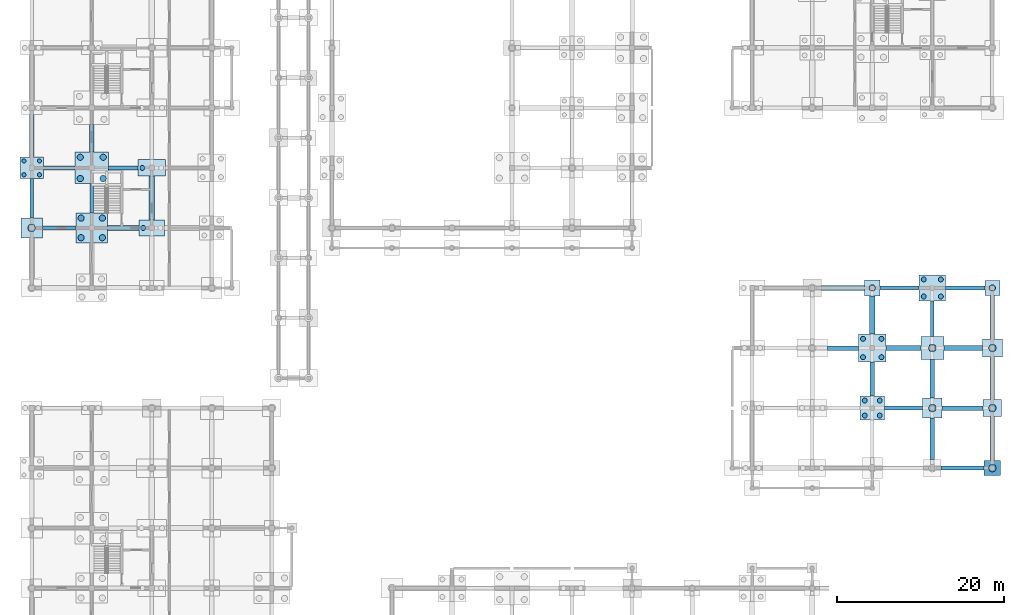
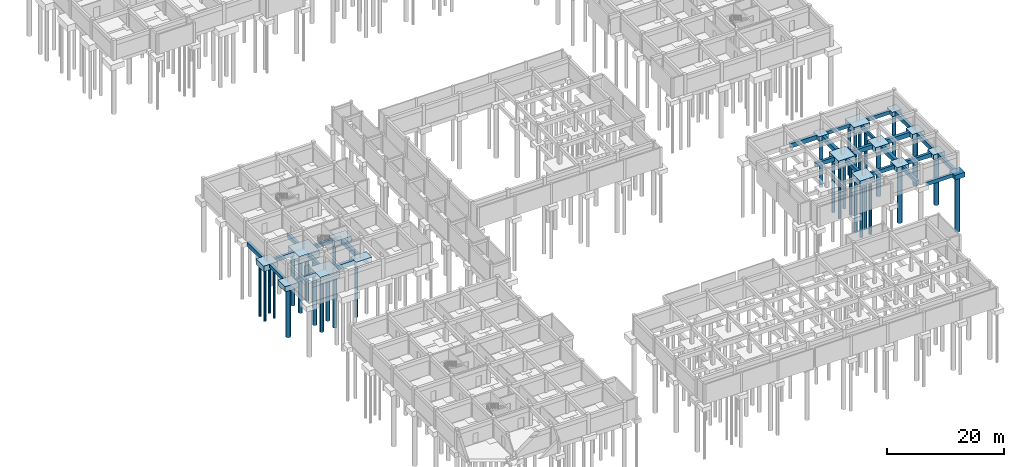
# One storey, part 7 of 38: 42 footings, 34 piles.
"""IFC4 building model written with IfcOpenShell, lengths in metres."""

from ifc_helpers import new_model, si_unit, direction, frame, origin, origin_2d, place, context, subcontext, project, spatial, polyline, rectangle, circle, outline, extrude, material, material_profile, profile_set, type_object, element, save


model = new_model("IFC4")

# Units and contexts
model_context = context("Model", 3, precision=1e-05, world=origin(), true_north=direction((0.0, 1.0)))
body_context = subcontext(model_context, "Body", "Model", "MODEL_VIEW")
ifc_project = project(units=[si_unit("LENGTHUNIT", "METRE"), si_unit("AREAUNIT", "SQUARE_METRE"), si_unit("VOLUMEUNIT", "CUBIC_METRE"), si_unit("PLANEANGLEUNIT", "RADIAN"), si_unit("MASSUNIT", "GRAM", prefix="KILO"), si_unit("THERMODYNAMICTEMPERATUREUNIT", "KELVIN"), si_unit("POWERUNIT", "WATT")], contexts=[model_context])

# Site, building, storey
site_placement = place(None, origin())
site = spatial("IfcSite", under=ifc_project, at=site_placement, CompositionType="ELEMENT")
building_placement = place(site_placement, origin())
building = spatial("IfcBuilding", under=site, at=building_placement, Name="Tavuni Mirador Residences", CompositionType="ELEMENT")
storey_placement = place(building_placement, frame((0.0, 0.0, -4.199951171875)))
storey = spatial("IfcBuildingStorey", under=building, at=storey_placement, Name="B1", CompositionType="ELEMENT", Elevation=-4.199951171875)

# Footings
ifc_material = material(Name="In-situ concrete C35/45", Category="concrete")
footing_type_1 = type_object("IfcFootingType", Name="FT-GB01", PredefinedType="FOOTING_BEAM", material=ifc_material)
footing_1_placement = place(storey_placement, frame((0.0, 0.0, -0.719970703125)))
element("IfcFooting", 1, at=footing_1_placement, inside=storey, type_object=footing_type_1, Name="GBX-BLK-B-00-01", PredefinedType="FOOTING_BEAM", context=body_context, shape_type="SweptSolid", body=[
    extrude(outline(polyline([(4.89990234375, 71.7900390625), (8.89990234375, 71.7900390625), (8.89990234375, 72.2099609375), (4.89990234375, 72.2099609375), (4.89990234375, 71.7900390625)])), origin(), (0.0, 0.0, 1.0), 0.719970703125),
])
footing_2_placement = place(storey_placement, frame((0.0, 0.0, -0.719970703125)))
element("IfcFooting", 2, at=footing_2_placement, inside=storey, type_object=footing_type_1, Name="GBY-BLK-B-01-01", PredefinedType="FOOTING_BEAM", context=body_context, shape_type="SweptSolid", body=[
    extrude(outline(polyline([(10.590087890625, 73.800048828125), (11.010009765625, 73.800048828125), (11.010009765625, 77.300048828125), (10.590087890625, 77.300048828125), (10.590087890625, 73.800048828125)])), origin(), (0.0, 0.0, 1.0), 0.719970703125),
])
footing_3_placement = place(storey_placement, frame((0.0, 0.0, -0.719970703125)))
element("IfcFooting", 3, at=footing_3_placement, inside=storey, type_object=footing_type_1, Name="GBX-PAV-NURS-02-03", PredefinedType="FOOTING_BEAM", context=body_context, shape_type="SweptSolid", body=[
    extrude(outline(polyline([(105.35009765625, 64.590087890625), (110.02490234375, 64.590087890625), (110.02490234375, 65.010009765625), (105.35009765625, 65.010009765625), (105.35009765625, 64.590087890625)])), origin(), (0.0, 0.0, 1.0), 0.719970703125),
])
footing_4_placement = place(storey_placement, frame((0.0, 0.0, -0.719970703125)))
element("IfcFooting", 4, at=footing_4_placement, inside=storey, type_object=footing_type_1, Name="GBY-PAV-NURS-03-02", PredefinedType="FOOTING_BEAM", context=body_context, shape_type="SweptSolid", body=[
    extrude(outline(polyline([(111.389892578125, 58.97509765625), (111.81005859375, 58.97509765625), (111.81005859375, 63.22509765625), (111.389892578125, 63.22509765625), (111.389892578125, 58.97509765625)])), origin(), (0.0, 0.0, 1.0), 0.719970703125),
])
footing_type_2 = type_object("IfcFootingType", Name="FT-GB02", PredefinedType="FOOTING_BEAM", material=ifc_material)
footing_5_placement = place(storey_placement, frame((0.0, 0.0, -0.760009765625)))
element("IfcFooting", 5, at=footing_5_placement, inside=storey, type_object=footing_type_2, Name="GBY-BLK-B-00-01", PredefinedType="FOOTING_BEAM", context=body_context, shape_type="SweptSolid", body=[
    extrude(outline(polyline([(3.3701171875, 73.199951171875), (3.830078125, 73.199951171875), (3.830078125, 77.89990234375), (3.3701171875, 77.89990234375), (3.3701171875, 73.199951171875)])), origin(), (0.0, 0.0, 1.0), 0.760009765625),
])
footing_6_placement = place(storey_placement, frame((0.0, 0.0, -0.760009765625)))
element("IfcFooting", 6, at=footing_6_placement, inside=storey, type_object=footing_type_2, Name="GBX-BLK-B-01-02", PredefinedType="FOOTING_BEAM", context=body_context, shape_type="SweptSolid", body=[
    extrude(outline(polyline([(12.800048828125, 78.969970703125), (16.35009765625, 78.969970703125), (16.35009765625, 79.429931640625), (12.800048828125, 79.429931640625), (12.800048828125, 78.969970703125)])), origin(), (0.0, 0.0, 1.0), 0.760009765625),
])
footing_7_placement = place(storey_placement, frame((0.0, 0.0, -0.760009765625)))
element("IfcFooting", 7, at=footing_7_placement, inside=storey, type_object=footing_type_2, Name="GBX-PAV-NURS-03-00", PredefinedType="FOOTING_BEAM", context=body_context, shape_type="SweptSolid", body=[
    extrude(outline(polyline([(112.64990234375, 42.969970703125), (117.800048828125, 42.969970703125), (117.800048828125, 43.429931640625), (112.64990234375, 43.429931640625), (112.64990234375, 42.969970703125)])), origin(), (0.0, 0.0, 1.0), 0.760009765625),
])
footing_8_placement = place(storey_placement, frame((0.0, 0.0, -0.760009765625)))
element("IfcFooting", 8, at=footing_8_placement, inside=storey, type_object=footing_type_2, Name="GBX-PAV-NURS-03-03", PredefinedType="FOOTING_BEAM", context=body_context, shape_type="SweptSolid", body=[
    extrude(outline(polyline([(113.175048828125, 64.570068359375), (117.89990234375, 64.570068359375), (117.89990234375, 65.030029296875), (113.175048828125, 65.030029296875), (113.175048828125, 64.570068359375)])), origin(), (0.0, 0.0, 1.0), 0.760009765625),
])
footing_type_3 = type_object("IfcFootingType", Name="FT-GB03", PredefinedType="FOOTING_BEAM", material=ifc_material)
footing_9_placement = place(storey_placement, frame((0.0, 0.0, -0.800048828125)))
element("IfcFooting", 9, at=footing_9_placement, inside=storey, type_object=footing_type_3, Name="GBX-BLK-B-00-02", PredefinedType="FOOTING_BEAM", context=body_context, shape_type="SweptSolid", body=[
    extrude(outline(polyline([(5.0, 78.949951171875), (8.800048828125, 78.949951171875), (8.800048828125, 79.449951171875), (5.0, 79.449951171875), (5.0, 78.949951171875)])), origin(), (0.0, 0.0, 1.0), 0.800048828125),
])
footing_10_placement = place(storey_placement, frame((0.0, 0.0, -0.800048828125)))
element("IfcFooting", 10, at=footing_10_placement, inside=storey, type_object=footing_type_3, Name="GBY-BLK-B-01-02", PredefinedType="FOOTING_BEAM", context=body_context, shape_type="SweptSolid", body=[
    extrude(outline(polyline([(10.550048828125, 81.10009765625), (11.050048828125, 81.10009765625), (11.050048828125, 84.39990234375), (10.550048828125, 84.39990234375), (10.550048828125, 81.10009765625)])), origin(), (0.0, 0.0, 1.0), 0.800048828125),
])
footing_11_placement = place(storey_placement, frame((0.0, 0.0, -0.800048828125)))
element("IfcFooting", 11, at=footing_11_placement, inside=storey, type_object=footing_type_3, Name="GBX-PAV-NURS-02-01", PredefinedType="FOOTING_BEAM", context=body_context, shape_type="SweptSolid", body=[
    extrude(outline(polyline([(105.85009765625, 50.14990234375), (110.425048828125, 50.14990234375), (110.425048828125, 50.64990234375), (105.85009765625, 50.64990234375), (105.85009765625, 50.14990234375)])), origin(), (0.0, 0.0, 1.0), 0.800048828125),
])
footing_12_placement = place(storey_placement, frame((0.0, 0.0, -0.800048828125)))
element("IfcFooting", 12, at=footing_12_placement, inside=storey, type_object=footing_type_3, Name="GBY-PAV-NURS-03-00", PredefinedType="FOOTING_BEAM", context=body_context, shape_type="SweptSolid", body=[
    extrude(outline(polyline([(111.35009765625, 44.25), (111.85009765625, 44.25), (111.85009765625, 49.22509765625), (111.35009765625, 49.22509765625), (111.35009765625, 44.25)])), origin(), (0.0, 0.0, 1.0), 0.800048828125),
])
footing_13_placement = place(storey_placement, frame((0.0, 0.0, -0.800048828125)))
element("IfcFooting", 13, at=footing_13_placement, inside=storey, type_object=footing_type_3, Name="GBY-PAV-NURS-04-00", PredefinedType="FOOTING_BEAM", context=body_context, shape_type="SweptSolid", body=[
    extrude(outline(polyline([(118.550048828125, 44.10009765625), (119.050048828125, 44.10009765625), (119.050048828125, 49.39990234375), (118.550048828125, 49.39990234375), (118.550048828125, 44.10009765625)])), origin(), (0.0, 0.0, 1.0), 0.800048828125),
])
footing_type_4 = type_object("IfcFootingType", Name="FT-GB04", PredefinedType="FOOTING_BEAM", material=ifc_material)
footing_14_placement = place(storey_placement, frame((0.0, 0.0, -0.840087890625)))
element("IfcFooting", 14, at=footing_14_placement, inside=storey, type_object=footing_type_4, Name="GBY-BLK-B-00-02", PredefinedType="FOOTING_BEAM", context=body_context, shape_type="SweptSolid", body=[
    extrude(outline(polyline([(3.330078125, 80.5), (3.8701171875, 80.5), (3.8701171875, 85.60009765625), (3.330078125, 85.60009765625), (3.330078125, 80.5)])), origin(), (0.0, 0.0, 1.0), 0.840087890625),
])
footing_15_placement = place(storey_placement, frame((0.0, 0.0, -0.840087890625)))
element("IfcFooting", 15, at=footing_15_placement, inside=storey, type_object=footing_type_4, Name="GBX-PAV-NURS-01-02", PredefinedType="FOOTING_BEAM", context=body_context, shape_type="SweptSolid", body=[
    extrude(outline(polyline([(99.050048828125, 57.330078125), (102.75, 57.330078125), (102.75, 57.8701171875), (99.050048828125, 57.8701171875), (99.050048828125, 57.330078125)])), origin(), (0.0, 0.0, 1.0), 0.840087890625),
])
footing_16_placement = place(storey_placement, frame((0.0, 0.0, -0.840087890625)))
element("IfcFooting", 16, at=footing_16_placement, inside=storey, type_object=footing_type_4, Name="GBY-PAV-NURS-02-01", PredefinedType="FOOTING_BEAM", context=body_context, shape_type="SweptSolid", body=[
    extrude(outline(polyline([(104.1298828125, 51.85009765625), (104.669921875, 51.85009765625), (104.669921875, 55.949951171875), (104.1298828125, 55.949951171875), (104.1298828125, 51.85009765625)])), origin(), (0.0, 0.0, 1.0), 0.840087890625),
])
footing_17_placement = place(storey_placement, frame((0.0, 0.0, -0.840087890625)))
element("IfcFooting", 17, at=footing_17_placement, inside=storey, type_object=footing_type_4, Name="GBX-PAV-NURS-03-01", PredefinedType="FOOTING_BEAM", context=body_context, shape_type="SweptSolid", body=[
    extrude(outline(polyline([(112.77490234375, 50.1298828125), (117.699951171875, 50.1298828125), (117.699951171875, 50.669921875), (112.77490234375, 50.669921875), (112.77490234375, 50.1298828125)])), origin(), (0.0, 0.0, 1.0), 0.840087890625),
])
footing_18_placement = place(storey_placement, frame((0.0, 0.0, -0.840087890625)))
element("IfcFooting", 18, at=footing_18_placement, inside=storey, type_object=footing_type_4, Name="GBY-PAV-NURS-04-01", PredefinedType="FOOTING_BEAM", context=body_context, shape_type="SweptSolid", body=[
    extrude(outline(polyline([(118.530029296875, 51.39990234375), (119.070068359375, 51.39990234375), (119.070068359375, 56.5), (118.530029296875, 56.5), (118.530029296875, 51.39990234375)])), origin(), (0.0, 0.0, 1.0), 0.840087890625),
])
footing_type_5 = type_object("IfcFootingType", Name="FT-GB05", PredefinedType="FOOTING_BEAM", material=ifc_material)
footing_19_placement = place(storey_placement, frame((0.0, 0.0, -0.880126953125)))
element("IfcFooting", 19, at=footing_19_placement, inside=storey, type_object=footing_type_5, Name="GBX-PAV-NURS-02-02", PredefinedType="FOOTING_BEAM", context=body_context, shape_type="SweptSolid", body=[
    extrude(outline(polyline([(106.050048828125, 57.31005859375), (110.22509765625, 57.31005859375), (110.22509765625, 57.889892578125), (106.050048828125, 57.889892578125), (106.050048828125, 57.31005859375)])), origin(), (0.0, 0.0, 1.0), 0.880126953125),
])
footing_20_placement = place(storey_placement, frame((0.0, 0.0, -0.880126953125)))
element("IfcFooting", 20, at=footing_20_placement, inside=storey, type_object=footing_type_5, Name="GBY-PAV-NURS-03-01", PredefinedType="FOOTING_BEAM", context=body_context, shape_type="SweptSolid", body=[
    extrude(outline(polyline([(111.31005859375, 51.574951171875), (111.889892578125, 51.574951171875), (111.889892578125, 56.22509765625), (111.31005859375, 56.22509765625), (111.31005859375, 51.574951171875)])), origin(), (0.0, 0.0, 1.0), 0.880126953125),
])
footing_21_placement = place(storey_placement, frame((0.0, 0.0, -0.880126953125)))
element("IfcFooting", 21, at=footing_21_placement, inside=storey, type_object=footing_type_5, Name="GBY-PAV-NURS-04-02", PredefinedType="FOOTING_BEAM", context=body_context, shape_type="SweptSolid", body=[
    extrude(outline(polyline([(118.510009765625, 58.699951171875), (119.090087890625, 58.699951171875), (119.090087890625, 63.89990234375), (118.510009765625, 63.89990234375), (118.510009765625, 58.699951171875)])), origin(), (0.0, 0.0, 1.0), 0.880126953125),
])
footing_type_6 = type_object("IfcFootingType", Name="FT-GB06", PredefinedType="FOOTING_BEAM", material=ifc_material)
footing_22_placement = place(storey_placement, frame((0.0, 0.0, -0.920166015625)))
element("IfcFooting", 22, at=footing_22_placement, inside=storey, type_object=footing_type_6, Name="GBX-BLK-B-01-01", PredefinedType="FOOTING_BEAM", context=body_context, shape_type="SweptSolid", body=[
    extrude(outline(polyline([(12.699951171875, 71.68994140625), (16.449951171875, 71.68994140625), (16.449951171875, 72.31005859375), (12.699951171875, 72.31005859375), (12.699951171875, 71.68994140625)])), origin(), (0.0, 0.0, 1.0), 0.920166015625),
])
footing_23_placement = place(storey_placement, frame((0.0, 0.0, -0.920166015625)))
element("IfcFooting", 23, at=footing_23_placement, inside=storey, type_object=footing_type_6, Name="GBY-BLK-B-02-01", PredefinedType="FOOTING_BEAM", context=body_context, shape_type="SweptSolid", body=[
    extrude(outline(polyline([(17.68994140625, 72.949951171875), (18.31005859375, 72.949951171875), (18.31005859375, 78.199951171875), (17.68994140625, 78.199951171875), (17.68994140625, 72.949951171875)])), origin(), (0.0, 0.0, 1.0), 0.920166015625),
])
footing_24_placement = place(storey_placement, frame((0.0, 0.0, -0.920166015625)))
element("IfcFooting", 24, at=footing_24_placement, inside=storey, type_object=footing_type_6, Name="GBX-PAV-NURS-01-03", PredefinedType="FOOTING_BEAM", context=body_context, shape_type="SweptSolid", body=[
    extrude(outline(polyline([(98.300048828125, 64.489990234375), (103.449951171875, 64.489990234375), (103.449951171875, 65.110107421875), (98.300048828125, 65.110107421875), (98.300048828125, 64.489990234375)])), origin(), (0.0, 0.0, 1.0), 0.920166015625),
])
footing_25_placement = place(storey_placement, frame((0.0, 0.0, -0.920166015625)))
element("IfcFooting", 25, at=footing_25_placement, inside=storey, type_object=footing_type_6, Name="GBY-PAV-NURS-02-02", PredefinedType="FOOTING_BEAM", context=body_context, shape_type="SweptSolid", body=[
    extrude(outline(polyline([(104.090087890625, 59.25), (104.7099609375, 59.25), (104.7099609375, 63.85009765625), (104.090087890625, 63.85009765625), (104.090087890625, 59.25)])), origin(), (0.0, 0.0, 1.0), 0.920166015625),
])
footing_26_placement = place(storey_placement, frame((0.0, 0.0, -0.920166015625)))
element("IfcFooting", 26, at=footing_26_placement, inside=storey, type_object=footing_type_6, Name="GBX-PAV-NURS-03-02", PredefinedType="FOOTING_BEAM", context=body_context, shape_type="SweptSolid", body=[
    extrude(outline(polyline([(112.97509765625, 57.2900390625), (117.60009765625, 57.2900390625), (117.60009765625, 57.909912109375), (112.97509765625, 57.909912109375), (112.97509765625, 57.2900390625)])), origin(), (0.0, 0.0, 1.0), 0.920166015625),
])
footing_type_7 = type_object("IfcFootingType", Name="FT-PC01", PredefinedType="PILE_CAP", material=ifc_material)
footing_27_placement = place(storey_placement, frame((118.800048828125, 64.800048828125, -0.89990234375), z_axis=(0.0, 0.0, 1.0), x_axis=(1.0, 0.0, 0.0)))
element("IfcFooting", 27, at=footing_27_placement, inside=storey, type_object=footing_type_7, Name="CAP-PAV-NURS-04-03", PredefinedType="PILE_CAP", context=body_context, shape_type="SweptSolid", body=[
    extrude(rectangle(XDim=1.800048828125, YDim=1.800048828125, at=origin_2d()), origin(), (0.0, 0.0, 1.0), 0.89990234375),
])
footing_type_8 = type_object("IfcFootingType", Name="FT-PC02", PredefinedType="PILE_CAP", material=ifc_material)
footing_28_placement = place(storey_placement, frame((118.800048828125, 43.199951171875, -0.9501953125), z_axis=(0.0, 0.0, 1.0), x_axis=(1.0, 0.0, 0.0)))
element("IfcFooting", 28, at=footing_28_placement, inside=storey, type_object=footing_type_8, Name="CAP-PAV-NURS-04-00", PredefinedType="PILE_CAP", context=body_context, shape_type="SweptSolid", body=[
    extrude(rectangle(XDim=2.0, YDim=1.800048828125, at=origin_2d()), origin(), (0.0, 0.0, 1.0), 0.949951171875),
])
footing_type_9 = type_object("IfcFootingType", Name="FT-PC03", PredefinedType="PILE_CAP", material=ifc_material)
footing_29_placement = place(storey_placement, frame((118.800048828125, 50.39990234375, -1.0), z_axis=(0.0, 0.0, 1.0), x_axis=(1.0, 0.0, 0.0)))
element("IfcFooting", 29, at=footing_29_placement, inside=storey, type_object=footing_type_9, Name="CAP-PAV-NURS-04-01", PredefinedType="PILE_CAP", context=body_context, shape_type="SweptSolid", body=[
    extrude(rectangle(XDim=2.199951171875, YDim=2.0, at=origin_2d()), origin(), (0.0, 0.0, 1.0), 1.0),
])
footing_type_10 = type_object("IfcFootingType", Name="FT-PC04", PredefinedType="PILE_CAP", material=ifc_material)
footing_30_placement = place(storey_placement, frame((118.800048828125, 57.60009765625, -1.05029296875), z_axis=(0.0, 0.0, 1.0), x_axis=(1.0, 0.0, 0.0)))
element("IfcFooting", 30, at=footing_30_placement, inside=storey, type_object=footing_type_10, Name="CAP-PAV-NURS-04-02", PredefinedType="PILE_CAP", context=body_context, shape_type="SweptSolid", body=[
    extrude(rectangle(XDim=2.39990234375, YDim=2.199951171875, at=origin_2d()), origin(), (0.0, 0.0, 1.0), 1.050048828125),
])
footing_type_11 = type_object("IfcFootingType", Name="FT-PC05", PredefinedType="PILE_CAP", material=ifc_material)
footing_31_placement = place(storey_placement, frame((3.60009765625, 72.0, -1.10009765625), z_axis=(0.0, 0.0, 1.0), x_axis=(1.0, 0.0, 0.0)))
element("IfcFooting", 31, at=footing_31_placement, inside=storey, type_object=footing_type_11, Name="CAP-BLK-B-00-01", PredefinedType="PILE_CAP", context=body_context, shape_type="SweptSolid", body=[
    extrude(rectangle(XDim=2.60009765625, YDim=2.39990234375, at=origin_2d()), origin(), (0.0, 0.0, 1.0), 1.10009765625),
])
footing_type_12 = type_object("IfcFootingType", Name="FT-PC06", PredefinedType="PILE_CAP", material=ifc_material)
footing_32_placement = place(storey_placement, frame((3.60009765625, 79.199951171875, -1.14990234375), z_axis=(0.0, 0.0, 1.0), x_axis=(1.0, 0.0, 0.0)))
element("IfcFooting", 32, at=footing_32_placement, inside=storey, type_object=footing_type_12, Name="CAP-BLK-B-00-02", PredefinedType="PILE_CAP", context=body_context, shape_type="SweptSolid", body=[
    extrude(rectangle(XDim=2.800048828125, YDim=2.60009765625, at=origin_2d()), origin(), (0.0, 0.0, 1.0), 1.14990234375),
])
footing_type_13 = type_object("IfcFootingType", Name="FT-PC11", PredefinedType="PILE_CAP", material=ifc_material)
footing_33_placement = place(storey_placement, frame((10.800048828125, 72.0, -1.39990234375), z_axis=(0.0, 0.0, 1.0), x_axis=(1.0, 0.0, 0.0)))
element("IfcFooting", 33, at=footing_33_placement, inside=storey, type_object=footing_type_13, Name="CAP-BLK-B-01-01", PredefinedType="PILE_CAP", context=body_context, shape_type="SweptSolid", body=[
    extrude(rectangle(XDim=3.800048828125, YDim=3.60009765625, at=origin_2d()), origin(), (0.0, 0.0, 1.0), 1.39990234375),
])
footing_type_14 = type_object("IfcFootingType", Name="FT-PC12", PredefinedType="PILE_CAP", material=ifc_material)
footing_34_placement = place(storey_placement, frame((10.800048828125, 79.199951171875, -1.4501953125), z_axis=(0.0, 0.0, 1.0), x_axis=(1.0, 0.0, 0.0)))
element("IfcFooting", 34, at=footing_34_placement, inside=storey, type_object=footing_type_14, Name="CAP-BLK-B-01-02", PredefinedType="PILE_CAP", context=body_context, shape_type="SweptSolid", body=[
    extrude(rectangle(XDim=4.0, YDim=3.800048828125, at=origin_2d()), origin(), (0.0, 0.0, 1.0), 1.449951171875),
])
footing_type_15 = type_object("IfcFootingType", Name="FT-PC17", PredefinedType="PILE_CAP", material=ifc_material)
footing_35_placement = place(storey_placement, frame((18.0, 72.0, -1.10009765625), z_axis=(0.0, 0.0, 1.0), x_axis=(1.0, 0.0, 0.0)))
element("IfcFooting", 35, at=footing_35_placement, inside=storey, type_object=footing_type_15, Name="CAP-BLK-B-02-01", PredefinedType="PILE_CAP", context=body_context, shape_type="SweptSolid", body=[
    extrude(rectangle(XDim=3.10009765625, YDim=1.89990234375, at=origin_2d()), origin(), (0.0, 0.0, 1.0), 1.10009765625),
])
footing_type_16 = type_object("IfcFootingType", Name="FT-PC18", PredefinedType="PILE_CAP", material=ifc_material)
footing_36_placement = place(storey_placement, frame((18.0, 79.199951171875, -1.14990234375), z_axis=(0.0, 0.0, 1.0), x_axis=(1.0, 0.0, 0.0)))
element("IfcFooting", 36, at=footing_36_placement, inside=storey, type_object=footing_type_16, Name="CAP-BLK-B-02-02", PredefinedType="PILE_CAP", context=body_context, shape_type="SweptSolid", body=[
    extrude(rectangle(XDim=3.300048828125, YDim=2.0, at=origin_2d()), origin(), (0.0, 0.0, 1.0), 1.14990234375),
])
footing_type_17 = type_object("IfcFootingType", Name="FT-PC23", PredefinedType="PILE_CAP", material=ifc_material)
footing_37_placement = place(storey_placement, frame((104.39990234375, 50.39990234375, -1.25), z_axis=(0.0, 0.0, 1.0), x_axis=(1.0, 0.0, 0.0)))
element("IfcFooting", 37, at=footing_37_placement, inside=storey, type_object=footing_type_17, Name="CAP-PAV-NURS-02-01", PredefinedType="PILE_CAP", context=body_context, shape_type="SweptSolid", body=[
    extrude(rectangle(XDim=2.89990234375, YDim=2.89990234375, at=origin_2d()), origin(), (0.0, 0.0, 1.0), 1.25),
])
footing_type_18 = type_object("IfcFootingType", Name="FT-PC24", PredefinedType="PILE_CAP", material=ifc_material)
footing_38_placement = place(storey_placement, frame((104.39990234375, 57.60009765625, -1.35009765625), z_axis=(0.0, 0.0, 1.0), x_axis=(1.0, 0.0, 0.0)))
element("IfcFooting", 38, at=footing_38_placement, inside=storey, type_object=footing_type_18, Name="CAP-PAV-NURS-02-02", PredefinedType="PILE_CAP", context=body_context, shape_type="SweptSolid", body=[
    extrude(rectangle(XDim=3.300048828125, YDim=3.300048828125, at=origin_2d()), origin(), (0.0, 0.0, 1.0), 1.35009765625),
])
footing_type_19 = type_object("IfcFootingType", Name="FT-PC25", PredefinedType="PILE_CAP", material=ifc_material)
footing_39_placement = place(storey_placement, frame((104.39990234375, 64.800048828125, -0.919921875), z_axis=(0.0, 0.0, 1.0), x_axis=(1.0, 0.0, 0.0)))
element("IfcFooting", 39, at=footing_39_placement, inside=storey, type_object=footing_type_19, Name="CAP-PAV-NURS-02-03", PredefinedType="PILE_CAP", context=body_context, shape_type="SweptSolid", body=[
    extrude(rectangle(XDim=1.89990234375, YDim=1.89990234375, at=origin_2d()), origin(), (0.0, 0.0, 1.0), 0.919921875),
])
footing_type_20 = type_object("IfcFootingType", Name="FT-PC27", PredefinedType="PILE_CAP", material=ifc_material)
footing_40_placement = place(storey_placement, frame((111.60009765625, 50.39990234375, -1.06005859375), z_axis=(0.0, 0.0, 1.0), x_axis=(1.0, 0.0, 0.0)))
element("IfcFooting", 40, at=footing_40_placement, inside=storey, type_object=footing_type_20, Name="CAP-PAV-NURS-03-01", PredefinedType="PILE_CAP", context=body_context, shape_type="SweptSolid", body=[
    extrude(rectangle(XDim=2.35009765625, YDim=2.35009765625, at=origin_2d()), origin(), (0.0, 0.0, 1.0), 1.06005859375),
])
footing_type_21 = type_object("IfcFootingType", Name="FT-PC28", PredefinedType="PILE_CAP", material=ifc_material)
footing_41_placement = place(storey_placement, frame((111.60009765625, 57.60009765625, -1.18017578125), z_axis=(0.0, 0.0, 1.0), x_axis=(1.0, 0.0, 0.0)))
element("IfcFooting", 41, at=footing_41_placement, inside=storey, type_object=footing_type_21, Name="CAP-PAV-NURS-03-02", PredefinedType="PILE_CAP", context=body_context, shape_type="SweptSolid", body=[
    extrude(rectangle(XDim=2.75, YDim=2.75, at=origin_2d()), origin(), (0.0, 0.0, 1.0), 1.179931640625),
])
footing_type_22 = type_object("IfcFootingType", Name="FT-PC29", PredefinedType="PILE_CAP", material=ifc_material)
footing_42_placement = place(storey_placement, frame((111.60009765625, 64.800048828125, -1.2802734375), z_axis=(0.0, 0.0, 1.0), x_axis=(1.0, 0.0, 0.0)))
element("IfcFooting", 42, at=footing_42_placement, inside=storey, type_object=footing_type_22, Name="CAP-PAV-NURS-03-03", PredefinedType="PILE_CAP", context=body_context, shape_type="SweptSolid", body=[
    extrude(rectangle(XDim=3.14990234375, YDim=3.14990234375, at=origin_2d()), origin(), (0.0, 0.0, 1.0), 1.280029296875),
])

# Piles
ifc_material_profile_1 = material_profile(ifc_material, circle(Radius=0.25, at=origin_2d()), Name="PILE D500", Category="concrete")
ifc_profile_set_1 = profile_set([ifc_material_profile_1], Name="In-situ concrete C35/45")
pile_type_1 = type_object("IfcPileType", Name="PT-D500", PredefinedType="BORED", material=ifc_profile_set_1)
for number, where, z_axis, x_axis, name in (
    (43, (2.669921875, 78.3701171875, -1.150146484375), (0.0, 0.0, -1.0), (1.0, 0.0, 0.0), "PIL-BLK-B-00-02-1"),
    (44, (4.530029296875, 78.3701171875, -1.150146484375), (0.0, 0.0, -1.0), (1.0, 0.0, 0.0), "PIL-BLK-B-00-02-2"),
    (45, (2.669921875, 80.030029296875, -1.150146484375), (0.0, 0.0, -1.0), (1.0, 0.0, 0.0), "PIL-BLK-B-00-02-3"),
    (46, (4.530029296875, 80.030029296875, -1.150146484375), (0.0, 0.0, -1.0), (1.0, 0.0, 0.0), "PIL-BLK-B-00-02-4"),
):
    element("IfcPile", number, at=place(storey_placement, frame(where, z_axis=z_axis, x_axis=x_axis)), inside=storey, type_object=pile_type_1, Name=name, PredefinedType="BORED", context=body_context, shape_type="SweptSolid", body=[
        extrude(circle(Radius=0.25, at=origin_2d()), origin(), (0.0, 0.0, 1.0), 10.64990234375),
    ])
ifc_material_profile_2 = material_profile(ifc_material, circle(Radius=0.300048828125, at=origin_2d()), Name="PILE D600", Category="concrete")
ifc_profile_set_2 = profile_set([ifc_material_profile_2], Name="In-situ concrete C35/45")
pile_type_2 = type_object("IfcPileType", Name="PT-D600", PredefinedType="BORED", material=ifc_profile_set_2)
pile_1_placement = place(storey_placement, frame((16.969970703125, 72.0, -1.10009765625), z_axis=(0.0, 0.0, -1.0), x_axis=(1.0, 0.0, 0.0)))
element("IfcPile", 47, at=pile_1_placement, inside=storey, type_object=pile_type_2, Name="PIL-BLK-B-02-01-1", PredefinedType="BORED", context=body_context, shape_type="SweptSolid", body=[
    extrude(circle(Radius=0.300048828125, at=origin_2d()), origin(), (0.0, 0.0, 1.0), 11.0),
])
pile_2_placement = place(storey_placement, frame((16.8701171875, 79.199951171875, -1.150146484375), z_axis=(0.0, 0.0, -1.0), x_axis=(1.0, 0.0, 0.0)))
element("IfcPile", 48, at=pile_2_placement, inside=storey, type_object=pile_type_2, Name="PIL-BLK-B-02-02-1", PredefinedType="BORED", context=body_context, shape_type="SweptSolid", body=[
    extrude(circle(Radius=0.300048828125, at=origin_2d()), origin(), (0.0, 0.0, 1.0), 11.25),
])
for number, where, z_axis, x_axis, name in (
    (49, (103.5, 49.5, -1.25), (0.0, 0.0, -1.0), (1.0, 0.0, 0.0), "PIL-PAV-NURS-02-01-1"),
    (50, (105.300048828125, 49.5, -1.25), (0.0, 0.0, -1.0), (1.0, 0.0, 0.0), "PIL-PAV-NURS-02-01-2"),
    (51, (103.5, 51.300048828125, -1.25), (0.0, 0.0, -1.0), (1.0, 0.0, 0.0), "PIL-PAV-NURS-02-01-3"),
    (52, (105.300048828125, 51.300048828125, -1.25), (0.0, 0.0, -1.0), (1.0, 0.0, 0.0), "PIL-PAV-NURS-02-01-4"),
):
    element("IfcPile", number, at=place(storey_placement, frame(where, z_axis=z_axis, x_axis=x_axis)), inside=storey, type_object=pile_type_2, Name=name, PredefinedType="BORED", context=body_context, shape_type="SweptSolid", body=[
        extrude(circle(Radius=0.300048828125, at=origin_2d()), origin(), (0.0, 0.0, 1.0), 10.85009765625),
    ])
for number, where, z_axis, x_axis, name in (
    (53, (103.300048828125, 56.5, -1.35009765625), (0.0, 0.0, -1.0), (1.0, 0.0, 0.0), "PIL-PAV-NURS-02-02-1"),
    (54, (105.5, 56.5, -1.35009765625), (0.0, 0.0, -1.0), (1.0, 0.0, 0.0), "PIL-PAV-NURS-02-02-2"),
    (55, (103.300048828125, 58.699951171875, -1.35009765625), (0.0, 0.0, -1.0), (1.0, 0.0, 0.0), "PIL-PAV-NURS-02-02-3"),
    (56, (105.5, 58.699951171875, -1.35009765625), (0.0, 0.0, -1.0), (1.0, 0.0, 0.0), "PIL-PAV-NURS-02-02-4"),
):
    element("IfcPile", number, at=place(storey_placement, frame(where, z_axis=z_axis, x_axis=x_axis)), inside=storey, type_object=pile_type_2, Name=name, PredefinedType="BORED", context=body_context, shape_type="SweptSolid", body=[
        extrude(circle(Radius=0.300048828125, at=origin_2d()), origin(), (0.0, 0.0, 1.0), 11.050048828125),
    ])
for number, where, z_axis, x_axis, name in (
    (57, (110.574951171875, 63.77490234375, -1.280029296875), (0.0, 0.0, -1.0), (1.0, 0.0, 0.0), "PIL-PAV-NURS-03-03-1"),
    (58, (112.625, 63.77490234375, -1.280029296875), (0.0, 0.0, -1.0), (1.0, 0.0, 0.0), "PIL-PAV-NURS-03-03-2"),
    (59, (110.574951171875, 65.824951171875, -1.280029296875), (0.0, 0.0, -1.0), (1.0, 0.0, 0.0), "PIL-PAV-NURS-03-03-3"),
    (60, (112.625, 65.824951171875, -1.280029296875), (0.0, 0.0, -1.0), (1.0, 0.0, 0.0), "PIL-PAV-NURS-03-03-4"),
):
    element("IfcPile", number, at=place(storey_placement, frame(where, z_axis=z_axis, x_axis=x_axis)), inside=storey, type_object=pile_type_2, Name=name, PredefinedType="BORED", context=body_context, shape_type="SweptSolid", body=[
        extrude(circle(Radius=0.300048828125, at=origin_2d()), origin(), (0.0, 0.0, 1.0), 10.219970703125),
    ])
ifc_material_profile_3 = material_profile(ifc_material, circle(Radius=0.375, at=origin_2d()), Name="PILE D750", Category="concrete")
ifc_profile_set_3 = profile_set([ifc_material_profile_3], Name="In-situ concrete C35/45")
pile_type_3 = type_object("IfcPileType", Name="PT-D750", PredefinedType="BORED", material=ifc_profile_set_3)
for number, where, z_axis, x_axis, name in (
    (61, (9.52490234375, 70.824951171875, -1.400146484375), (0.0, 0.0, -1.0), (1.0, 0.0, 0.0), "PIL-BLK-B-01-01-1"),
    (62, (12.074951171875, 70.824951171875, -1.400146484375), (0.0, 0.0, -1.0), (1.0, 0.0, 0.0), "PIL-BLK-B-01-01-2"),
    (63, (9.52490234375, 73.175048828125, -1.400146484375), (0.0, 0.0, -1.0), (1.0, 0.0, 0.0), "PIL-BLK-B-01-01-3"),
    (64, (12.074951171875, 73.175048828125, -1.400146484375), (0.0, 0.0, -1.0), (1.0, 0.0, 0.0), "PIL-BLK-B-01-01-4"),
):
    element("IfcPile", number, at=place(storey_placement, frame(where, z_axis=z_axis, x_axis=x_axis)), inside=storey, type_object=pile_type_3, Name=name, PredefinedType="BORED", context=body_context, shape_type="SweptSolid", body=[
        extrude(circle(Radius=0.375, at=origin_2d()), origin(), (0.0, 0.0, 1.0), 10.39990234375),
    ])
for number, where, z_axis, x_axis, name in (
    (65, (9.425048828125, 77.925048828125, -1.449951171875), (0.0, 0.0, -1.0), (1.0, 0.0, 0.0), "PIL-BLK-B-01-02-1"),
    (66, (12.175048828125, 77.925048828125, -1.449951171875), (0.0, 0.0, -1.0), (1.0, 0.0, 0.0), "PIL-BLK-B-01-02-2"),
    (67, (9.425048828125, 80.47509765625, -1.449951171875), (0.0, 0.0, -1.0), (1.0, 0.0, 0.0), "PIL-BLK-B-01-02-3"),
    (68, (12.175048828125, 80.47509765625, -1.449951171875), (0.0, 0.0, -1.0), (1.0, 0.0, 0.0), "PIL-BLK-B-01-02-4"),
):
    element("IfcPile", number, at=place(storey_placement, frame(where, z_axis=z_axis, x_axis=x_axis)), inside=storey, type_object=pile_type_3, Name=name, PredefinedType="BORED", context=body_context, shape_type="SweptSolid", body=[
        extrude(circle(Radius=0.375, at=origin_2d()), origin(), (0.0, 0.0, 1.0), 10.64990234375),
    ])
pile_3_placement = place(storey_placement, frame((104.39990234375, 64.800048828125, -0.920166015625), z_axis=(0.0, 0.0, -1.0), x_axis=(1.0, 0.0, 0.0)))
element("IfcPile", 69, at=pile_3_placement, inside=storey, type_object=pile_type_3, Name="PIL-PAV-NURS-02-03-1", PredefinedType="BORED", context=body_context, shape_type="SweptSolid", body=[
    extrude(circle(Radius=0.375, at=origin_2d()), origin(), (0.0, 0.0, 1.0), 10.280029296875),
])
pile_4_placement = place(storey_placement, frame((118.800048828125, 64.800048828125, -0.900146484375), z_axis=(0.0, 0.0, -1.0), x_axis=(1.0, 0.0, 0.0)))
element("IfcPile", 70, at=pile_4_placement, inside=storey, type_object=pile_type_3, Name="PIL-PAV-NURS-04-03-1", PredefinedType="BORED", context=body_context, shape_type="SweptSolid", body=[
    extrude(circle(Radius=0.375, at=origin_2d()), origin(), (0.0, 0.0, 1.0), 10.89990234375),
])
ifc_material_profile_4 = material_profile(ifc_material, circle(Radius=0.449951171875, at=origin_2d()), Name="PILE D900", Category="concrete")
ifc_profile_set_4 = profile_set([ifc_material_profile_4], Name="In-situ concrete C35/45")
pile_type_4 = type_object("IfcPileType", Name="PT-D900", PredefinedType="BORED", material=ifc_profile_set_4)
pile_5_placement = place(storey_placement, frame((3.60009765625, 72.0, -1.10009765625), z_axis=(0.0, 0.0, -1.0), x_axis=(1.0, 0.0, 0.0)))
element("IfcPile", 71, at=pile_5_placement, inside=storey, type_object=pile_type_4, Name="PIL-BLK-B-00-01-1", PredefinedType="BORED", context=body_context, shape_type="SweptSolid", body=[
    extrude(circle(Radius=0.449951171875, at=origin_2d()), origin(), (0.0, 0.0, 1.0), 10.39990234375),
])
pile_6_placement = place(storey_placement, frame((111.60009765625, 50.39990234375, -1.06005859375), z_axis=(0.0, 0.0, -1.0), x_axis=(1.0, 0.0, 0.0)))
element("IfcPile", 72, at=pile_6_placement, inside=storey, type_object=pile_type_4, Name="PIL-PAV-NURS-03-01-1", PredefinedType="BORED", context=body_context, shape_type="SweptSolid", body=[
    extrude(circle(Radius=0.449951171875, at=origin_2d()), origin(), (0.0, 0.0, 1.0), 11.340087890625),
])
pile_7_placement = place(storey_placement, frame((111.60009765625, 57.60009765625, -1.179931640625), z_axis=(0.0, 0.0, -1.0), x_axis=(1.0, 0.0, 0.0)))
element("IfcPile", 73, at=pile_7_placement, inside=storey, type_object=pile_type_4, Name="PIL-PAV-NURS-03-02-1", PredefinedType="BORED", context=body_context, shape_type="SweptSolid", body=[
    extrude(circle(Radius=0.449951171875, at=origin_2d()), origin(), (0.0, 0.0, 1.0), 10.02001953125),
])
pile_8_placement = place(storey_placement, frame((118.800048828125, 43.199951171875, -0.949951171875), z_axis=(0.0, 0.0, -1.0), x_axis=(1.0, 0.0, 0.0)))
element("IfcPile", 74, at=pile_8_placement, inside=storey, type_object=pile_type_4, Name="PIL-PAV-NURS-04-00-1", PredefinedType="BORED", context=body_context, shape_type="SweptSolid", body=[
    extrude(circle(Radius=0.449951171875, at=origin_2d()), origin(), (0.0, 0.0, 1.0), 11.449951171875),
])
pile_9_placement = place(storey_placement, frame((118.800048828125, 50.39990234375, -1.0), z_axis=(0.0, 0.0, -1.0), x_axis=(1.0, 0.0, 0.0)))
element("IfcPile", 75, at=pile_9_placement, inside=storey, type_object=pile_type_4, Name="PIL-PAV-NURS-04-01-1", PredefinedType="BORED", context=body_context, shape_type="SweptSolid", body=[
    extrude(circle(Radius=0.449951171875, at=origin_2d()), origin(), (0.0, 0.0, 1.0), 10.199951171875),
])
pile_10_placement = place(storey_placement, frame((118.800048828125, 57.60009765625, -1.050048828125), z_axis=(0.0, 0.0, -1.0), x_axis=(1.0, 0.0, 0.0)))
element("IfcPile", 76, at=pile_10_placement, inside=storey, type_object=pile_type_4, Name="PIL-PAV-NURS-04-02-1", PredefinedType="BORED", context=body_context, shape_type="SweptSolid", body=[
    extrude(circle(Radius=0.449951171875, at=origin_2d()), origin(), (0.0, 0.0, 1.0), 10.449951171875),
])

save(model, "model.ifc")
